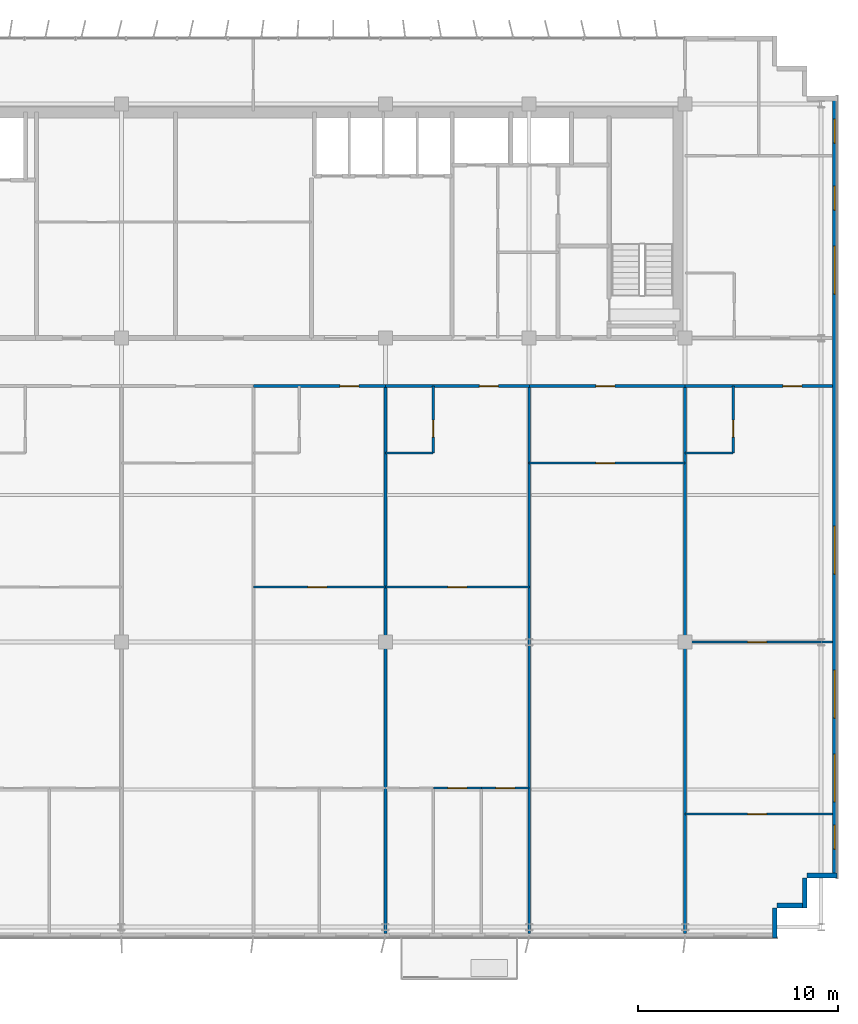
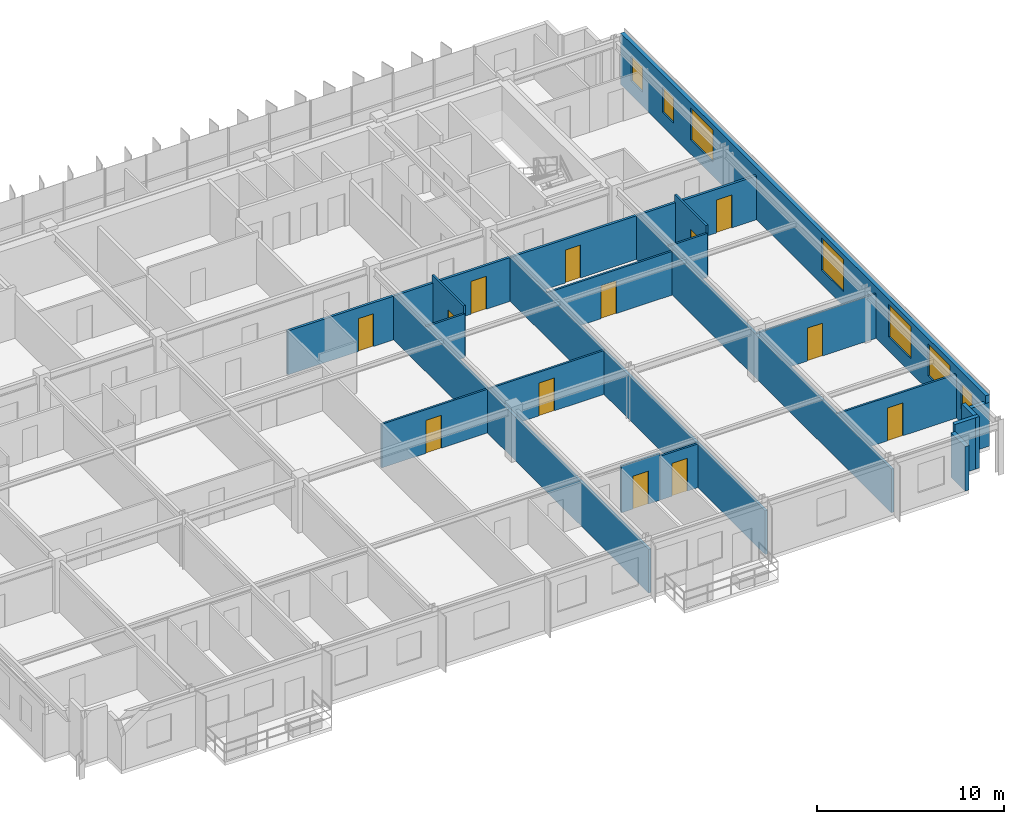
# One storey, part 18 of 23: 23 walls, 13 doors, 7 windows, 20 openings.
"""IFC4 building model written with IfcOpenShell, lengths in metres."""

from ifc_helpers import new_model, si_unit, direction, frame, frame_2d, origin, place, context, subcontext, project, spatial, rectangle, extrude, source, transform, mapped, material, layer, layer_set, type_object, element, fill, save


model = new_model("IFC4")

# Units and contexts
model_context = context("Model", 3, precision=1e-05, world=origin(), true_north=direction((0.0, 1.0)))
body_context = subcontext(model_context, "Body", "Model", "MODEL_VIEW")
ifc_project = project(units=[si_unit("LENGTHUNIT", "METRE"), si_unit("AREAUNIT", "SQUARE_METRE"), si_unit("VOLUMEUNIT", "CUBIC_METRE"), si_unit("PLANEANGLEUNIT", "RADIAN"), si_unit("MASSUNIT", "GRAM", prefix="KILO")], contexts=[model_context])

# Site, building, storey
site_placement = place(None, origin())
site = spatial("IfcSite", under=ifc_project, at=site_placement, CompositionType="ELEMENT")
building_placement = place(site_placement, origin())
building = spatial("IfcBuilding", under=site, at=building_placement, Name="Trelvane Seafront Commons", CompositionType="ELEMENT")
storey_placement = place(building_placement, frame((0.0, 0.0, 226.5)))
storey = spatial("IfcBuildingStorey", under=building, at=storey_placement, Name="L59", CompositionType="ELEMENT", Elevation=226.5)

# Wall, openings, windows
ifc_material_1 = material(Name="Precast concrete C40/50", Category="concrete")
ifc_layer_1 = layer(ifc_material_1, 0.239990234375, Name="ARCH-WALL-EXT240")
ifc_layer_set_1 = layer_set([ifc_layer_1], Name="Precast concrete C40/50")
wall_type_1 = type_object("IfcWallType", Name="ARCH-WALL-EXT240", PredefinedType="SOLIDWALL", material=ifc_layer_set_1)
wall_1_placement = place(storey_placement, frame((66.280029296875, 45.5, 0.0), z_axis=(0.0, 0.0, 1.0), x_axis=(0.0, -1.0, 0.0)))
wall_1 = element("IfcWall", 1, at=wall_1_placement, inside=storey, type_object=wall_type_1, Name="EW-L59-01197", PredefinedType="SOLIDWALL", context=body_context, shape_type="SweptSolid", body=[
    extrude(rectangle(XDim=39.10009765625, YDim=0.239990234375, at=frame_2d((19.550048828125, 0.0))), origin(), (0.0, 0.0, 1.0), 3.360107421875),
])
opening_1_placement = place(wall_1_placement, frame((36.449951171875, 0.0, 0.919921875)))
opening_1 = element("IfcOpeningElement", 2, at=opening_1_placement, cuts=wall_1, Name="Opening W05", PredefinedType="OPENING", context=body_context, shape_type="SweptSolid", body=[
    extrude(rectangle(XDim=1.199951171875, YDim=1.64990234375, at=frame_2d((0.60009765625, 0.824951171875))), frame((0.0, 0.1298828125, 0.0), z_axis=(0.0, -1.0, 0.0), x_axis=(1.0, 0.0, 0.0)), (0.0, 0.0, 1.0), 0.260009765625),
])
opening_2_placement = place(wall_1_placement, frame((32.89990234375, 0.0, 0.919921875)))
opening_2 = element("IfcOpeningElement", 3, at=opening_2_placement, cuts=wall_1, Name="Opening W08", PredefinedType="OPENING", context=body_context, shape_type="SweptSolid", body=[
    extrude(rectangle(XDim=2.39990234375, YDim=2.10009765625, at=frame_2d((1.199951171875, 1.050048828125))), frame((0.0, 0.1298828125, 0.0), z_axis=(0.0, -1.0, 0.0), x_axis=(1.0, 0.0, 0.0)), (0.0, 0.0, 1.0), 0.260009765625),
])
opening_3_placement = place(wall_1_placement, frame((28.699951171875, 0.0, 0.919921875)))
opening_3 = element("IfcOpeningElement", 4, at=opening_3_placement, cuts=wall_1, Name="Opening W08", PredefinedType="OPENING", context=body_context, shape_type="SweptSolid", body=[
    extrude(rectangle(XDim=2.39990234375, YDim=2.10009765625, at=frame_2d((1.199951171875, 1.050048828125))), frame((0.0, 0.1298828125, 0.0), z_axis=(0.0, -1.0, 0.0), x_axis=(1.0, 0.0, 0.0)), (0.0, 0.0, 1.0), 0.260009765625),
])
opening_4_placement = place(wall_1_placement, frame((21.5, 0.0, 0.919921875)))
opening_4 = element("IfcOpeningElement", 5, at=opening_4_placement, cuts=wall_1, Name="Opening W08", PredefinedType="OPENING", context=body_context, shape_type="SweptSolid", body=[
    extrude(rectangle(XDim=2.39990234375, YDim=2.10009765625, at=frame_2d((1.199951171875, 1.050048828125))), frame((0.0, 0.1298828125, 0.0), z_axis=(0.0, -1.0, 0.0), x_axis=(1.0, 0.0, 0.0)), (0.0, 0.0, 1.0), 0.260009765625),
])
opening_5_placement = place(wall_1_placement, frame((7.5, 0.0, 0.919921875)))
opening_5 = element("IfcOpeningElement", 6, at=opening_5_placement, cuts=wall_1, Name="Opening W08", PredefinedType="OPENING", context=body_context, shape_type="SweptSolid", body=[
    extrude(rectangle(XDim=2.39990234375, YDim=2.10009765625, at=frame_2d((1.199951171875, 1.050048828125))), frame((0.0, 0.1298828125, 0.0), z_axis=(0.0, -1.0, 0.0), x_axis=(1.0, 0.0, 0.0)), (0.0, 0.0, 1.0), 0.260009765625),
])
opening_6_placement = place(wall_1_placement, frame((4.5, 0.0, 0.919921875)))
opening_6 = element("IfcOpeningElement", 7, at=opening_6_placement, cuts=wall_1, Name="Opening W05", PredefinedType="OPENING", context=body_context, shape_type="SweptSolid", body=[
    extrude(rectangle(XDim=1.199951171875, YDim=1.64990234375, at=frame_2d((0.60009765625, 0.824951171875))), frame((0.0, 0.1298828125, 0.0), z_axis=(0.0, -1.0, 0.0), x_axis=(1.0, 0.0, 0.0)), (0.0, 0.0, 1.0), 0.260009765625),
])
opening_7_placement = place(wall_1_placement, frame((1.14990234375, 0.0, 0.919921875)))
opening_7 = element("IfcOpeningElement", 8, at=opening_7_placement, cuts=wall_1, Name="Opening W05", PredefinedType="OPENING", context=body_context, shape_type="SweptSolid", body=[
    extrude(rectangle(XDim=1.199951171875, YDim=1.64990234375, at=frame_2d((0.60009765625, 0.824951171875))), frame((0.0, 0.1298828125, 0.0), z_axis=(0.0, -1.0, 0.0), x_axis=(1.0, 0.0, 0.0)), (0.0, 0.0, 1.0), 0.260009765625),
])
ifc_material_2 = material(Name="Low-E coastal double glazing", Category="glass")
window_type_1 = type_object("IfcWindowType", Name="ARCH-WIN-W08", PartitioningType="SINGLE_PANEL", PredefinedType="WINDOW", material=ifc_material_2)
shared_shape_1 = source(origin(), body_context, "Body", "SweptSolid", [
    extrude(rectangle(XDim=2.39990234375, YDim=2.10009765625, at=frame_2d((1.199951171875, 1.050048828125))), frame((0.0, 0.030029296875, 0.0), z_axis=(0.0, -1.0, 0.0), x_axis=(1.0, 0.0, 0.0)), (0.0, 0.0, 1.0), 0.06005859375),
])
window_1_placement = place(opening_2_placement, origin())
window_1 = element("IfcWindow", 9, at=window_1_placement, inside=storey, type_object=window_type_1, Name="WIN-L59-EW-01445", OverallHeight=2.10009765625, OverallWidth=2.39990234375, PartitioningType="SINGLE_PANEL", PredefinedType="WINDOW", context=body_context, shape_type="MappedRepresentation", body=[
    mapped(shared_shape_1, transform((0.0, 0.0, 0.0), x_axis=(1.0, 0.0, 0.0), y_axis=(0.0, 1.0, 0.0), z_axis=(0.0, 0.0, 1.0), scale=1.0)),
])
fill(opening_2, window_1)
window_2_placement = place(opening_3_placement, origin())
window_2 = element("IfcWindow", 10, at=window_2_placement, inside=storey, type_object=window_type_1, Name="WIN-L59-EW-01446", OverallHeight=2.10009765625, OverallWidth=2.39990234375, PartitioningType="SINGLE_PANEL", PredefinedType="WINDOW", context=body_context, shape_type="MappedRepresentation", body=[
    mapped(shared_shape_1, transform((0.0, 0.0, 0.0), x_axis=(1.0, 0.0, 0.0), y_axis=(0.0, 1.0, 0.0), z_axis=(0.0, 0.0, 1.0), scale=1.0)),
])
fill(opening_3, window_2)
window_3_placement = place(opening_4_placement, origin())
window_3 = element("IfcWindow", 11, at=window_3_placement, inside=storey, type_object=window_type_1, Name="WIN-L59-EW-01447", OverallHeight=2.10009765625, OverallWidth=2.39990234375, PartitioningType="SINGLE_PANEL", PredefinedType="WINDOW", context=body_context, shape_type="MappedRepresentation", body=[
    mapped(shared_shape_1, transform((0.0, 0.0, 0.0), x_axis=(1.0, 0.0, 0.0), y_axis=(0.0, 1.0, 0.0), z_axis=(0.0, 0.0, 1.0), scale=1.0)),
])
fill(opening_4, window_3)
window_4_placement = place(opening_5_placement, origin())
window_4 = element("IfcWindow", 12, at=window_4_placement, inside=storey, type_object=window_type_1, Name="WIN-L59-EW-01448", OverallHeight=2.10009765625, OverallWidth=2.39990234375, PartitioningType="SINGLE_PANEL", PredefinedType="WINDOW", context=body_context, shape_type="MappedRepresentation", body=[
    mapped(shared_shape_1, transform((0.0, 0.0, 0.0), x_axis=(1.0, 0.0, 0.0), y_axis=(0.0, 1.0, 0.0), z_axis=(0.0, 0.0, 1.0), scale=1.0)),
])
fill(opening_5, window_4)
window_type_2 = type_object("IfcWindowType", Name="ARCH-WIN-W05", PartitioningType="SINGLE_PANEL", PredefinedType="WINDOW", material=ifc_material_2)
shared_shape_2 = source(origin(), body_context, "Body", "SweptSolid", [
    extrude(rectangle(XDim=1.199951171875, YDim=1.64990234375, at=frame_2d((0.60009765625, 0.824951171875))), frame((0.0, 0.030029296875, 0.0), z_axis=(0.0, -1.0, 0.0), x_axis=(1.0, 0.0, 0.0)), (0.0, 0.0, 1.0), 0.06005859375),
])
window_5_placement = place(opening_1_placement, origin())
window_5 = element("IfcWindow", 13, at=window_5_placement, inside=storey, type_object=window_type_2, Name="WIN-L59-EW-01444", OverallHeight=1.64990234375, OverallWidth=1.199951171875, PartitioningType="SINGLE_PANEL", PredefinedType="WINDOW", context=body_context, shape_type="MappedRepresentation", body=[
    mapped(shared_shape_2, transform((0.0, 0.0, 0.0), x_axis=(1.0, 0.0, 0.0), y_axis=(0.0, 1.0, 0.0), z_axis=(0.0, 0.0, 1.0), scale=1.0)),
])
fill(opening_1, window_5)
window_6_placement = place(opening_6_placement, origin())
window_6 = element("IfcWindow", 14, at=window_6_placement, inside=storey, type_object=window_type_2, Name="WIN-L59-EW-01449", OverallHeight=1.64990234375, OverallWidth=1.199951171875, PartitioningType="SINGLE_PANEL", PredefinedType="WINDOW", context=body_context, shape_type="MappedRepresentation", body=[
    mapped(shared_shape_2, transform((0.0, 0.0, 0.0), x_axis=(1.0, 0.0, 0.0), y_axis=(0.0, 1.0, 0.0), z_axis=(0.0, 0.0, 1.0), scale=1.0)),
])
fill(opening_6, window_6)
window_7_placement = place(opening_7_placement, origin())
window_7 = element("IfcWindow", 15, at=window_7_placement, inside=storey, type_object=window_type_2, Name="WIN-L59-EW-01450", OverallHeight=1.64990234375, OverallWidth=1.199951171875, PartitioningType="SINGLE_PANEL", PredefinedType="WINDOW", context=body_context, shape_type="MappedRepresentation", body=[
    mapped(shared_shape_2, transform((0.0, 0.0, 0.0), x_axis=(1.0, 0.0, 0.0), y_axis=(0.0, 1.0, 0.0), z_axis=(0.0, 0.0, 1.0), scale=1.0)),
])
fill(opening_7, window_7)

# Walls
wall_2_placement = place(storey_placement, frame((66.39990234375, 6.52001953125, 0.0), z_axis=(0.0, 0.0, 1.0), x_axis=(-1.0, 0.0, 0.0)))
element("IfcWall", 16, at=wall_2_placement, inside=storey, type_object=wall_type_1, Name="EW-L59-01198", PredefinedType="SOLIDWALL", context=body_context, shape_type="SweptSolid", body=[
    extrude(rectangle(XDim=1.5, YDim=0.239990234375, at=frame_2d((0.75, 0.0))), origin(), (0.0, 0.0, 1.0), 2.860107421875),
])
for number, where, z_axis, x_axis, name in (
    (17, (64.780029296875, 6.39990234375, 0.0), (0.0, 0.0, 1.0), (0.0, -1.0, 0.0), "EW-L59-01199"),
    (18, (64.89990234375, 5.02001953125, 0.0), (0.0, 0.0, 1.0), (-1.0, 0.0, 0.0), "EW-L59-01200"),
):
    element("IfcWall", number, at=place(storey_placement, frame(where, z_axis=z_axis, x_axis=x_axis)), inside=storey, type_object=wall_type_1, Name=name, PredefinedType="SOLIDWALL", context=body_context, shape_type="SweptSolid", body=[
        extrude(rectangle(XDim=1.5, YDim=0.239990234375, at=frame_2d((0.75, 0.0))), origin(), (0.0, 0.0, 1.0), 3.360107421875),
    ])
wall_3_placement = place(storey_placement, frame((63.280029296875, 4.89990234375, 0.0), z_axis=(0.0, 0.0, 1.0), x_axis=(0.0, -1.0, 0.0)))
element("IfcWall", 19, at=wall_3_placement, inside=storey, type_object=wall_type_1, Name="EW-L59-01201", PredefinedType="SOLIDWALL", context=body_context, shape_type="SweptSolid", body=[
    extrude(rectangle(XDim=1.5, YDim=0.239990234375, at=frame_2d((0.75, 0.0))), origin(), (0.0, 0.0, 1.0), 2.909912109375),
])

# Wall, opening, door
ifc_material_3 = material(Name="Gypsum Drywall Acoustic Partition")
ifc_layer_2 = layer(ifc_material_3, 0.1201171875, Name="ARCH-WALL-PART120")
ifc_layer_set_2 = layer_set([ifc_layer_2], Name="Gypsum Drywall Acoustic Partition")
wall_type_2 = type_object("IfcWallType", Name="ARCH-WALL-PART120", PredefinedType="PARTITIONING", material=ifc_layer_set_2)
wall_4_placement = place(storey_placement, frame((37.199951171875, 20.949951171875, 0.0), z_axis=(0.0, 0.0, 1.0), x_axis=(1.0, 0.0, 0.0)))
wall_4 = element("IfcWall", 20, at=wall_4_placement, inside=storey, type_object=wall_type_2, Name="W-L59-U5-KL-080", PredefinedType="PARTITIONING", context=body_context, shape_type="SweptSolid", body=[
    extrude(rectangle(XDim=6.60009765625, YDim=0.1201171875, at=frame_2d((3.300048828125, 0.0))), origin(), (0.0, 0.0, 1.0), 2.860107421875),
])
opening_8_placement = place(wall_4_placement, frame((2.73388671875, 0.0, 0.0)))
opening_8 = element("IfcOpeningElement", 21, at=opening_8_placement, cuts=wall_4, Name="Opening D-L59-50", PredefinedType="OPENING", context=body_context, shape_type="SweptSolid", body=[
    extrude(rectangle(XDim=0.949951171875, YDim=2.14990234375, at=frame_2d((0.47509765625, 1.074951171875))), frame((0.0, 0.070068359375, 0.0), z_axis=(0.0, -1.0, 0.0), x_axis=(1.0, 0.0, 0.0)), (0.0, 0.0, 1.0), 0.14013671875),
])
ifc_material_4 = material(Name="Acoustic timber door leaf", Category="wood")
door_type_1 = type_object("IfcDoorType", Name="ARCH-DR-INT950", OperationType="NOTDEFINED", PredefinedType="DOOR", material=ifc_material_4)
shared_shape_3 = source(origin(), body_context, "Body", "SweptSolid", [
    extrude(rectangle(XDim=0.949951171875, YDim=2.14990234375, at=frame_2d((0.47509765625, 1.074951171875))), frame((0.0, 0.02490234375, 0.0), z_axis=(0.0, -1.0, 0.0), x_axis=(1.0, 0.0, 0.0)), (0.0, 0.0, 1.0), 0.050048828125),
])
door_1_placement = place(opening_8_placement, origin())
door_1 = element("IfcDoor", 22, at=door_1_placement, inside=storey, type_object=door_type_1, Name="L59 Door 50", OperationType="SINGLE_SWING_RIGHT", OverallHeight=2.14990234375, OverallWidth=0.949951171875, PredefinedType="DOOR", context=body_context, shape_type="MappedRepresentation", body=[
    mapped(shared_shape_3, transform((0.0, 0.0, 0.0), x_axis=(1.0, 0.0, 0.0), y_axis=(0.0, 1.0, 0.0), z_axis=(0.0, 0.0, 1.0), scale=1.0)),
])
fill(opening_8, door_1)

wall_5_placement = place(storey_placement, frame((43.800048828125, 20.949951171875, 0.0), z_axis=(0.0, 0.0, 1.0), x_axis=(1.0, 0.0, 0.0)))
wall_5 = element("IfcWall", 23, at=wall_5_placement, inside=storey, type_object=wall_type_2, Name="W-L59-U6-KL-087", PredefinedType="PARTITIONING", context=body_context, shape_type="SweptSolid", body=[
    extrude(rectangle(XDim=7.199951171875, YDim=0.1201171875, at=frame_2d((3.60009765625, 0.0))), origin(), (0.0, 0.0, 1.0), 2.860107421875),
])
opening_9_placement = place(wall_5_placement, frame((3.125, 0.0, 0.0)))
opening_9 = element("IfcOpeningElement", 24, at=opening_9_placement, cuts=wall_5, Name="Opening D-L59-55", PredefinedType="OPENING", context=body_context, shape_type="SweptSolid", body=[
    extrude(rectangle(XDim=0.949951171875, YDim=2.14990234375, at=frame_2d((0.47509765625, 1.074951171875))), frame((0.0, 0.070068359375, 0.0), z_axis=(0.0, -1.0, 0.0), x_axis=(1.0, 0.0, 0.0)), (0.0, 0.0, 1.0), 0.14013671875),
])
door_2_placement = place(opening_9_placement, origin())
door_2 = element("IfcDoor", 25, at=door_2_placement, inside=storey, type_object=door_type_1, Name="L59 Door 55", OperationType="SINGLE_SWING_LEFT", OverallHeight=2.14990234375, OverallWidth=0.949951171875, PredefinedType="DOOR", context=body_context, shape_type="MappedRepresentation", body=[
    mapped(shared_shape_3, transform((0.0, 0.0, 0.0), x_axis=(1.0, 0.0, 0.0), y_axis=(0.0, 1.0, 0.0), z_axis=(0.0, 0.0, 1.0), scale=1.0)),
])
fill(opening_9, door_2)

wall_6_placement = place(storey_placement, frame((46.199951171875, 27.64990234375, 0.0), z_axis=(0.0, 0.0, 1.0), x_axis=(0.0, 1.0, 0.0)))
wall_6 = element("IfcWall", 26, at=wall_6_placement, inside=storey, type_object=wall_type_2, Name="W-L59-U6-BE-088", PredefinedType="PARTITIONING", context=body_context, shape_type="SweptSolid", body=[
    extrude(rectangle(XDim=3.35009765625, YDim=0.1201171875, at=frame_2d((1.675048828125, 0.0))), origin(), (0.0, 0.0, 1.0), 3.360107421875),
])
opening_10_placement = place(wall_6_placement, frame((0.800048828125, 0.0, 0.0)))
opening_10 = element("IfcOpeningElement", 27, at=opening_10_placement, cuts=wall_6, Name="Opening D-L59-56", PredefinedType="OPENING", context=body_context, shape_type="SweptSolid", body=[
    extrude(rectangle(XDim=0.85009765625, YDim=2.10009765625, at=frame_2d((0.425048828125, 1.050048828125))), frame((0.0, 0.070068359375, 0.0), z_axis=(0.0, -1.0, 0.0), x_axis=(1.0, 0.0, 0.0)), (0.0, 0.0, 1.0), 0.14013671875),
])
door_type_2 = type_object("IfcDoorType", Name="ARCH-DR-INT850", OperationType="NOTDEFINED", PredefinedType="DOOR", material=ifc_material_4)
shared_shape_4 = source(origin(), body_context, "Body", "SweptSolid", [
    extrude(rectangle(XDim=0.85009765625, YDim=2.10009765625, at=frame_2d((0.425048828125, 1.050048828125))), frame((0.0, 0.02490234375, 0.0), z_axis=(0.0, -1.0, 0.0), x_axis=(1.0, 0.0, 0.0)), (0.0, 0.0, 1.0), 0.050048828125),
])
door_3_placement = place(opening_10_placement, origin())
door_3 = element("IfcDoor", 28, at=door_3_placement, inside=storey, type_object=door_type_2, Name="L59 Door 56", OperationType="SINGLE_SWING_RIGHT", OverallHeight=2.10009765625, OverallWidth=0.85009765625, PredefinedType="DOOR", context=body_context, shape_type="MappedRepresentation", body=[
    mapped(shared_shape_4, transform((0.0, 0.0, 0.0), x_axis=(1.0, 0.0, 0.0), y_axis=(0.0, 1.0, 0.0), z_axis=(0.0, 0.0, 1.0), scale=1.0)),
])
fill(opening_10, door_3)

# Wall
wall_7_placement = place(storey_placement, frame((43.800048828125, 27.64990234375, 0.0), z_axis=(0.0, 0.0, 1.0), x_axis=(1.0, 0.0, 0.0)))
element("IfcWall", 29, at=wall_7_placement, inside=storey, type_object=wall_type_2, Name="W-L59-U6-BS-089", PredefinedType="PARTITIONING", context=body_context, shape_type="SweptSolid", body=[
    extrude(rectangle(XDim=2.39990234375, YDim=0.1201171875, at=frame_2d((1.199951171875, 0.0))), origin(), (0.0, 0.0, 1.0), 2.860107421875),
])

# Wall, opening, door
wall_8_placement = place(storey_placement, frame((46.199951171875, 10.89990234375, 0.0), z_axis=(0.0, 0.0, 1.0), x_axis=(1.0, 0.0, 0.0)))
wall_8 = element("IfcWall", 30, at=wall_8_placement, inside=storey, type_object=wall_type_2, Name="W-L59-U6-YM-2-092", PredefinedType="PARTITIONING", context=body_context, shape_type="SweptSolid", body=[
    extrude(rectangle(XDim=2.400146484375, YDim=0.1201171875, at=frame_2d((1.2001953125, 0.0))), origin(), (0.0, 0.0, 1.0), 3.06005859375),
])
opening_11_placement = place(wall_8_placement, frame((0.72509765625, 0.0, 0.0)))
opening_11 = element("IfcOpeningElement", 31, at=opening_11_placement, cuts=wall_8, Name="Opening D-L59-59", PredefinedType="OPENING", context=body_context, shape_type="SweptSolid", body=[
    extrude(rectangle(XDim=0.949951171875, YDim=2.14990234375, at=frame_2d((0.47509765625, 1.074951171875))), frame((0.0, 0.070068359375, 0.0), z_axis=(0.0, -1.0, 0.0), x_axis=(1.0, 0.0, 0.0)), (0.0, 0.0, 1.0), 0.14013671875),
])
door_4_placement = place(opening_11_placement, origin())
door_4 = element("IfcDoor", 32, at=door_4_placement, inside=storey, type_object=door_type_1, Name="L59 Door 59", OperationType="SINGLE_SWING_LEFT", OverallHeight=2.14990234375, OverallWidth=0.949951171875, PredefinedType="DOOR", context=body_context, shape_type="MappedRepresentation", body=[
    mapped(shared_shape_3, transform((0.0, 0.0, 0.0), x_axis=(1.0, 0.0, 0.0), y_axis=(0.0, 1.0, 0.0), z_axis=(0.0, 0.0, 1.0), scale=1.0)),
])
fill(opening_11, door_4)

wall_9_placement = place(storey_placement, frame((48.60009765625, 10.89990234375, 0.0), z_axis=(0.0, 0.0, 1.0), x_axis=(1.0, 0.0, 0.0)))
wall_9 = element("IfcWall", 33, at=wall_9_placement, inside=storey, type_object=wall_type_2, Name="W-L59-U6-YM-3-094", PredefinedType="PARTITIONING", context=body_context, shape_type="SweptSolid", body=[
    extrude(rectangle(XDim=2.39990234375, YDim=0.1201171875, at=frame_2d((1.199951171875, 0.0))), origin(), (0.0, 0.0, 1.0), 2.860107421875),
])
opening_12_placement = place(wall_9_placement, frame((0.72509765625, 0.0, 0.0)))
opening_12 = element("IfcOpeningElement", 34, at=opening_12_placement, cuts=wall_9, Name="Opening D-L59-60", PredefinedType="OPENING", context=body_context, shape_type="SweptSolid", body=[
    extrude(rectangle(XDim=0.949951171875, YDim=2.14990234375, at=frame_2d((0.47509765625, 1.074951171875))), frame((0.0, 0.070068359375, 0.0), z_axis=(0.0, -1.0, 0.0), x_axis=(1.0, 0.0, 0.0)), (0.0, 0.0, 1.0), 0.14013671875),
])
door_5_placement = place(opening_12_placement, origin())
door_5 = element("IfcDoor", 35, at=door_5_placement, inside=storey, type_object=door_type_1, Name="L59 Door 60", OperationType="SINGLE_SWING_RIGHT", OverallHeight=2.14990234375, OverallWidth=0.949951171875, PredefinedType="DOOR", context=body_context, shape_type="MappedRepresentation", body=[
    mapped(shared_shape_3, transform((0.0, 0.0, 0.0), x_axis=(1.0, 0.0, 0.0), y_axis=(0.0, 1.0, 0.0), z_axis=(0.0, 0.0, 1.0), scale=1.0)),
])
fill(opening_12, door_5)

wall_10_placement = place(storey_placement, frame((51.0, 27.14990234375, 0.0), z_axis=(0.0, 0.0, 1.0), x_axis=(1.0, 0.0, 0.0)))
wall_10 = element("IfcWall", 36, at=wall_10_placement, inside=storey, type_object=wall_type_2, Name="W-L59-U7-DIV-097", PredefinedType="PARTITIONING", context=body_context, shape_type="SweptSolid", body=[
    extrude(rectangle(XDim=7.800048828125, YDim=0.1201171875, at=frame_2d((3.89990234375, 0.0))), origin(), (0.0, 0.0, 1.0), 2.860107421875),
])
opening_13_placement = place(wall_10_placement, frame((3.3330078125, 0.0, 0.0)))
opening_13 = element("IfcOpeningElement", 37, at=opening_13_placement, cuts=wall_10, Name="Opening D-L59-62", PredefinedType="OPENING", context=body_context, shape_type="SweptSolid", body=[
    extrude(rectangle(XDim=0.949951171875, YDim=2.14990234375, at=frame_2d((0.47509765625, 1.074951171875))), frame((0.0, 0.070068359375, 0.0), z_axis=(0.0, -1.0, 0.0), x_axis=(1.0, 0.0, 0.0)), (0.0, 0.0, 1.0), 0.14013671875),
])
door_6_placement = place(opening_13_placement, origin())
door_6 = element("IfcDoor", 38, at=door_6_placement, inside=storey, type_object=door_type_1, Name="L59 Door 62", OperationType="SINGLE_SWING_RIGHT", OverallHeight=2.14990234375, OverallWidth=0.949951171875, PredefinedType="DOOR", context=body_context, shape_type="MappedRepresentation", body=[
    mapped(shared_shape_3, transform((0.0, 0.0, 0.0), x_axis=(1.0, 0.0, 0.0), y_axis=(0.0, 1.0, 0.0), z_axis=(0.0, 0.0, 1.0), scale=1.0)),
])
fill(opening_13, door_6)

wall_11_placement = place(storey_placement, frame((58.800048828125, 18.199951171875, 0.0), z_axis=(0.0, 0.0, 1.0), x_axis=(1.0, 0.0, 0.0)))
wall_11 = element("IfcWall", 39, at=wall_11_placement, inside=storey, type_object=wall_type_2, Name="W-L59-U8-KL-098", PredefinedType="PARTITIONING", context=body_context, shape_type="SweptSolid", body=[
    extrude(rectangle(XDim=7.35986328125, YDim=0.1201171875, at=frame_2d((3.679931640625, 0.0))), origin(), (0.0, 0.0, 1.0), 2.909912109375),
])
opening_14_placement = place(wall_11_placement, frame((3.114013671875, 0.0, 0.0)))
opening_14 = element("IfcOpeningElement", 40, at=opening_14_placement, cuts=wall_11, Name="Opening D-L59-63", PredefinedType="OPENING", context=body_context, shape_type="SweptSolid", body=[
    extrude(rectangle(XDim=0.949951171875, YDim=2.14990234375, at=frame_2d((0.47509765625, 1.074951171875))), frame((0.0, 0.070068359375, 0.0), z_axis=(0.0, -1.0, 0.0), x_axis=(1.0, 0.0, 0.0)), (0.0, 0.0, 1.0), 0.14013671875),
])
door_7_placement = place(opening_14_placement, origin())
door_7 = element("IfcDoor", 41, at=door_7_placement, inside=storey, type_object=door_type_1, Name="L59 Door 63", OperationType="SINGLE_SWING_LEFT", OverallHeight=2.14990234375, OverallWidth=0.949951171875, PredefinedType="DOOR", context=body_context, shape_type="MappedRepresentation", body=[
    mapped(shared_shape_3, transform((0.0, 0.0, 0.0), x_axis=(1.0, 0.0, 0.0), y_axis=(0.0, 1.0, 0.0), z_axis=(0.0, 0.0, 1.0), scale=1.0)),
])
fill(opening_14, door_7)

wall_12_placement = place(storey_placement, frame((61.199951171875, 27.64990234375, 0.0), z_axis=(0.0, 0.0, 1.0), x_axis=(0.0, 1.0, 0.0)))
wall_12 = element("IfcWall", 42, at=wall_12_placement, inside=storey, type_object=wall_type_2, Name="W-L59-U8-BE-099", PredefinedType="PARTITIONING", context=body_context, shape_type="SweptSolid", body=[
    extrude(rectangle(XDim=3.35009765625, YDim=0.1201171875, at=frame_2d((1.675048828125, 0.0))), origin(), (0.0, 0.0, 1.0), 3.360107421875),
])
opening_15_placement = place(wall_12_placement, frame((0.800048828125, 0.0, 0.0)))
opening_15 = element("IfcOpeningElement", 43, at=opening_15_placement, cuts=wall_12, Name="Opening D-L59-64", PredefinedType="OPENING", context=body_context, shape_type="SweptSolid", body=[
    extrude(rectangle(XDim=0.85009765625, YDim=2.10009765625, at=frame_2d((0.425048828125, 1.050048828125))), frame((0.0, 0.070068359375, 0.0), z_axis=(0.0, -1.0, 0.0), x_axis=(1.0, 0.0, 0.0)), (0.0, 0.0, 1.0), 0.14013671875),
])
door_8_placement = place(opening_15_placement, origin())
door_8 = element("IfcDoor", 44, at=door_8_placement, inside=storey, type_object=door_type_2, Name="L59 Door 64", OperationType="SINGLE_SWING_RIGHT", OverallHeight=2.10009765625, OverallWidth=0.85009765625, PredefinedType="DOOR", context=body_context, shape_type="MappedRepresentation", body=[
    mapped(shared_shape_4, transform((0.0, 0.0, 0.0), x_axis=(1.0, 0.0, 0.0), y_axis=(0.0, 1.0, 0.0), z_axis=(0.0, 0.0, 1.0), scale=1.0)),
])
fill(opening_15, door_8)

# Wall
wall_13_placement = place(storey_placement, frame((58.800048828125, 27.64990234375, 0.0), z_axis=(0.0, 0.0, 1.0), x_axis=(1.0, 0.0, 0.0)))
element("IfcWall", 45, at=wall_13_placement, inside=storey, type_object=wall_type_2, Name="W-L59-U8-BS-100", PredefinedType="PARTITIONING", context=body_context, shape_type="SweptSolid", body=[
    extrude(rectangle(XDim=2.39990234375, YDim=0.1201171875, at=frame_2d((1.199951171875, 0.0))), origin(), (0.0, 0.0, 1.0), 2.860107421875),
])

# Wall, opening, door
wall_14_placement = place(storey_placement, frame((58.800048828125, 9.60009765625, 0.0), z_axis=(0.0, 0.0, 1.0), x_axis=(1.0, 0.0, 0.0)))
wall_14 = element("IfcWall", 46, at=wall_14_placement, inside=storey, type_object=wall_type_2, Name="W-L59-U8-YM-1-102", PredefinedType="PARTITIONING", context=body_context, shape_type="SweptSolid", body=[
    extrude(rectangle(XDim=7.35986328125, YDim=0.1201171875, at=frame_2d((3.679931640625, 0.0))), origin(), (0.0, 0.0, 1.0), 2.860107421875),
])
opening_16_placement = place(wall_14_placement, frame((3.114013671875, 0.0, 0.0)))
opening_16 = element("IfcOpeningElement", 47, at=opening_16_placement, cuts=wall_14, Name="Opening D-L59-66", PredefinedType="OPENING", context=body_context, shape_type="SweptSolid", body=[
    extrude(rectangle(XDim=0.949951171875, YDim=2.14990234375, at=frame_2d((0.47509765625, 1.074951171875))), frame((0.0, 0.070068359375, 0.0), z_axis=(0.0, -1.0, 0.0), x_axis=(1.0, 0.0, 0.0)), (0.0, 0.0, 1.0), 0.14013671875),
])
door_9_placement = place(opening_16_placement, origin())
door_9 = element("IfcDoor", 48, at=door_9_placement, inside=storey, type_object=door_type_1, Name="L59 Door 66", OperationType="SINGLE_SWING_RIGHT", OverallHeight=2.14990234375, OverallWidth=0.949951171875, PredefinedType="DOOR", context=body_context, shape_type="MappedRepresentation", body=[
    mapped(shared_shape_3, transform((0.0, 0.0, 0.0), x_axis=(1.0, 0.0, 0.0), y_axis=(0.0, 1.0, 0.0), z_axis=(0.0, 0.0, 1.0), scale=1.0)),
])
fill(opening_16, door_9)

# Walls
ifc_layer_3 = layer(ifc_material_3, 0.14990234375, Name="ARCH-WALL-PART150")
ifc_layer_set_3 = layer_set([ifc_layer_3], Name="Gypsum Drywall Acoustic Partition")
wall_type_3 = type_object("IfcWallType", Name="ARCH-WALL-PART150", PredefinedType="PARTITIONING", material=ifc_layer_set_3)
for number, where, z_axis, x_axis, name in (
    (49, (43.800048828125, 3.625, 0.0), (0.0, 0.0, 1.0), (0.0, 1.0, 0.0), "W-L59-PW-5-054"),
    (50, (51.0, 3.625, 0.0), (0.0, 0.0, 1.0), (0.0, 1.0, 0.0), "W-L59-PW-6-055"),
    (51, (58.800048828125, 3.625, 0.0), (0.0, 0.0, 1.0), (0.0, 1.0, 0.0), "W-L59-PW-7-056"),
):
    element("IfcWall", number, at=place(storey_placement, frame(where, z_axis=z_axis, x_axis=x_axis)), inside=storey, type_object=wall_type_3, Name=name, PredefinedType="PARTITIONING", context=body_context, shape_type="SweptSolid", body=[
        extrude(rectangle(XDim=27.375, YDim=0.14990234375, at=frame_2d((13.6875, 0.0))), origin(), (0.0, 0.0, 1.0), 2.860107421875),
    ])

# Wall, opening, door
wall_15_placement = place(storey_placement, frame((37.199951171875, 31.0, 0.0), z_axis=(0.0, 0.0, 1.0), x_axis=(1.0, 0.0, 0.0)))
wall_15 = element("IfcWall", 52, at=wall_15_placement, inside=storey, type_object=wall_type_3, Name="W-L59-CS-BAY-5-083", PredefinedType="PARTITIONING", context=body_context, shape_type="SweptSolid", body=[
    extrude(rectangle(XDim=6.60009765625, YDim=0.14990234375, at=frame_2d((3.300048828125, 0.0))), origin(), (0.0, 0.0, 1.0), 2.860107421875),
])
opening_17_placement = place(wall_15_placement, frame((4.3369140625, 0.0, 0.0)))
opening_17 = element("IfcOpeningElement", 53, at=opening_17_placement, cuts=wall_15, Name="Opening FD-L59-52", PredefinedType="OPENING", context=body_context, shape_type="SweptSolid", body=[
    extrude(rectangle(XDim=0.949951171875, YDim=2.14990234375, at=frame_2d((0.47509765625, 1.074951171875))), frame((0.0, 0.0849609375, 0.0), z_axis=(0.0, -1.0, 0.0), x_axis=(1.0, 0.0, 0.0)), (0.0, 0.0, 1.0), 0.169921875),
])
ifc_material_5 = material(Name="Powder-coated aluminium frame", Category="aluminium")
door_type_3 = type_object("IfcDoorType", Name="ARCH-DR-FD60-950", OperationType="NOTDEFINED", PredefinedType="DOOR", material=ifc_material_5)
door_10_placement = place(opening_17_placement, origin())
door_10 = element("IfcDoor", 54, at=door_10_placement, inside=storey, type_object=door_type_3, Name="L59 Unit 05 Entrance Door", OperationType="SINGLE_SWING_RIGHT", OverallHeight=2.14990234375, OverallWidth=0.949951171875, PredefinedType="DOOR", context=body_context, shape_type="MappedRepresentation", body=[
    mapped(shared_shape_3, transform((0.0, 0.0, 0.0), x_axis=(1.0, 0.0, 0.0), y_axis=(0.0, 1.0, 0.0), z_axis=(0.0, 0.0, 1.0), scale=1.0)),
])
fill(opening_17, door_10)

wall_16_placement = place(storey_placement, frame((43.800048828125, 31.0, 0.0), z_axis=(0.0, 0.0, 1.0), x_axis=(1.0, 0.0, 0.0)))
wall_16 = element("IfcWall", 55, at=wall_16_placement, inside=storey, type_object=wall_type_3, Name="W-L59-CS-BAY-6-090", PredefinedType="PARTITIONING", context=body_context, shape_type="SweptSolid", body=[
    extrude(rectangle(XDim=7.199951171875, YDim=0.14990234375, at=frame_2d((3.60009765625, 0.0))), origin(), (0.0, 0.0, 1.0), 2.860107421875),
])
opening_18_placement = place(wall_16_placement, frame((4.7060546875, 0.0, 0.0)))
opening_18 = element("IfcOpeningElement", 56, at=opening_18_placement, cuts=wall_16, Name="Opening FD-L59-57", PredefinedType="OPENING", context=body_context, shape_type="SweptSolid", body=[
    extrude(rectangle(XDim=0.949951171875, YDim=2.14990234375, at=frame_2d((0.47509765625, 1.074951171875))), frame((0.0, 0.0849609375, 0.0), z_axis=(0.0, -1.0, 0.0), x_axis=(1.0, 0.0, 0.0)), (0.0, 0.0, 1.0), 0.169921875),
])
door_11_placement = place(opening_18_placement, origin())
door_11 = element("IfcDoor", 57, at=door_11_placement, inside=storey, type_object=door_type_3, Name="L59 Unit 06 Entrance Door", OperationType="SINGLE_SWING_LEFT", OverallHeight=2.14990234375, OverallWidth=0.949951171875, PredefinedType="DOOR", context=body_context, shape_type="MappedRepresentation", body=[
    mapped(shared_shape_3, transform((0.0, 0.0, 0.0), x_axis=(1.0, 0.0, 0.0), y_axis=(0.0, 1.0, 0.0), z_axis=(0.0, 0.0, 1.0), scale=1.0)),
])
fill(opening_18, door_11)

wall_17_placement = place(storey_placement, frame((51.0, 31.0, 0.0), z_axis=(0.0, 0.0, 1.0), x_axis=(1.0, 0.0, 0.0)))
wall_17 = element("IfcWall", 58, at=wall_17_placement, inside=storey, type_object=wall_type_3, Name="W-L59-CS-BAY-7-096", PredefinedType="PARTITIONING", context=body_context, shape_type="SweptSolid", body=[
    extrude(rectangle(XDim=7.800048828125, YDim=0.14990234375, at=frame_2d((3.89990234375, 0.0))), origin(), (0.0, 0.0, 1.0), 2.860107421875),
])
opening_19_placement = place(wall_17_placement, frame((3.3330078125, 0.0, 0.0)))
opening_19 = element("IfcOpeningElement", 59, at=opening_19_placement, cuts=wall_17, Name="Opening FD-L59-61", PredefinedType="OPENING", context=body_context, shape_type="SweptSolid", body=[
    extrude(rectangle(XDim=0.949951171875, YDim=2.14990234375, at=frame_2d((0.47509765625, 1.074951171875))), frame((0.0, 0.0849609375, 0.0), z_axis=(0.0, -1.0, 0.0), x_axis=(1.0, 0.0, 0.0)), (0.0, 0.0, 1.0), 0.169921875),
])
door_12_placement = place(opening_19_placement, origin())
door_12 = element("IfcDoor", 60, at=door_12_placement, inside=storey, type_object=door_type_3, Name="L59 Bay 07 Entrance Door", OperationType="SINGLE_SWING_LEFT", OverallHeight=2.14990234375, OverallWidth=0.949951171875, PredefinedType="DOOR", context=body_context, shape_type="MappedRepresentation", body=[
    mapped(shared_shape_3, transform((0.0, 0.0, 0.0), x_axis=(1.0, 0.0, 0.0), y_axis=(0.0, 1.0, 0.0), z_axis=(0.0, 0.0, 1.0), scale=1.0)),
])
fill(opening_19, door_12)

wall_18_placement = place(storey_placement, frame((58.800048828125, 31.0, 0.0), z_axis=(0.0, 0.0, 1.0), x_axis=(1.0, 0.0, 0.0)))
wall_18 = element("IfcWall", 61, at=wall_18_placement, inside=storey, type_object=wall_type_3, Name="W-L59-CS-BAY-8-101", PredefinedType="PARTITIONING", context=body_context, shape_type="SweptSolid", body=[
    extrude(rectangle(XDim=7.375, YDim=0.14990234375, at=frame_2d((3.6875, 0.0))), origin(), (0.0, 0.0, 1.0), 2.860107421875),
])
opening_20_placement = place(wall_18_placement, frame((4.876953125, 0.0, 0.0)))
opening_20 = element("IfcOpeningElement", 62, at=opening_20_placement, cuts=wall_18, Name="Opening FD-L59-65", PredefinedType="OPENING", context=body_context, shape_type="SweptSolid", body=[
    extrude(rectangle(XDim=0.949951171875, YDim=2.14990234375, at=frame_2d((0.47509765625, 1.074951171875))), frame((0.0, 0.0849609375, 0.0), z_axis=(0.0, -1.0, 0.0), x_axis=(1.0, 0.0, 0.0)), (0.0, 0.0, 1.0), 0.169921875),
])
door_13_placement = place(opening_20_placement, origin())
door_13 = element("IfcDoor", 63, at=door_13_placement, inside=storey, type_object=door_type_3, Name="L59 Unit 08 Entrance Door", OperationType="SINGLE_SWING_LEFT", OverallHeight=2.14990234375, OverallWidth=0.949951171875, PredefinedType="DOOR", context=body_context, shape_type="MappedRepresentation", body=[
    mapped(shared_shape_3, transform((0.0, 0.0, 0.0), x_axis=(1.0, 0.0, 0.0), y_axis=(0.0, 1.0, 0.0), z_axis=(0.0, 0.0, 1.0), scale=1.0)),
])
fill(opening_20, door_13)

save(model, "model.ifc")
